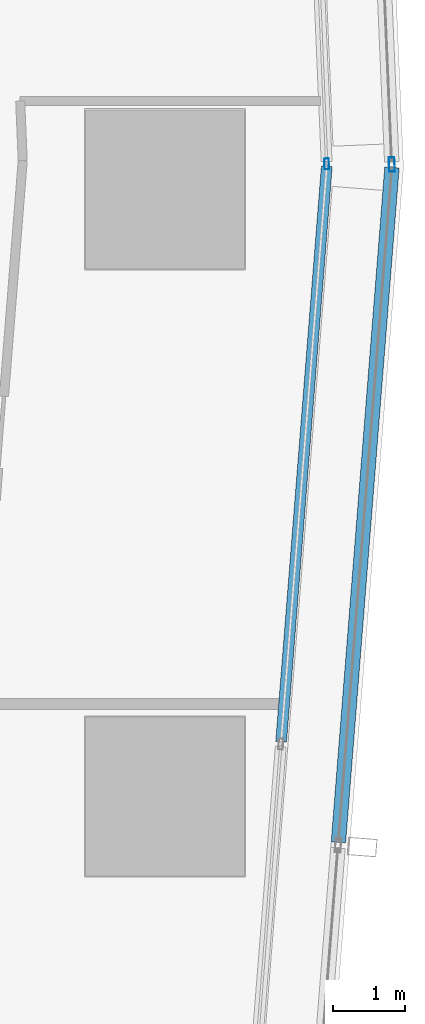
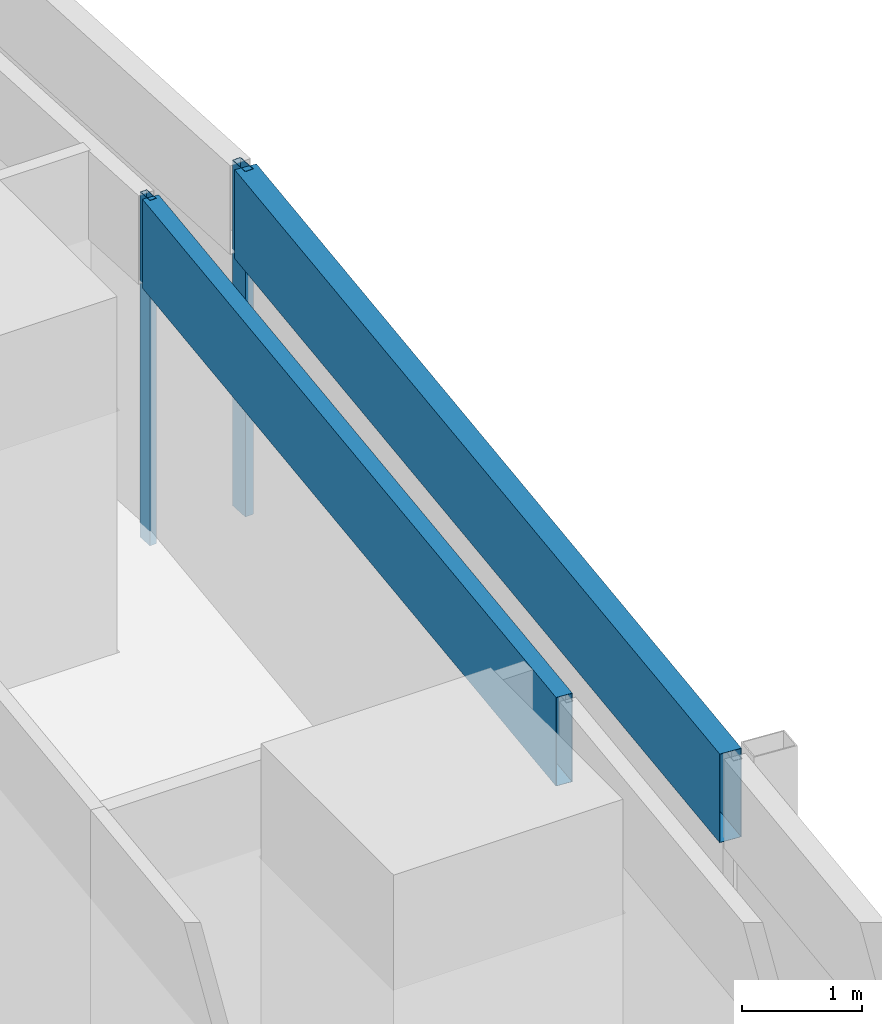
# One storey, part 26 of 45: 4 members, 4 elements without a shape of their own.
"""IFC4 building model written with IfcOpenShell, lengths in metres."""

from ifc_helpers import new_model, si_unit, direction, frame, origin, origin_2d, place, context, subcontext, project, spatial, hollow_rectangle, extrude, material, material_profile, profile_set, type_object, element, aggregate, save


model = new_model("IFC4")

# Units and contexts
model_context = context("Model", 3, precision=1e-05, world=origin(), true_north=direction((0.0, 1.0)))
body_context = subcontext(model_context, "Body", "Model", "MODEL_VIEW")
ifc_project = project(units=[si_unit("LENGTHUNIT", "METRE"), si_unit("AREAUNIT", "SQUARE_METRE"), si_unit("VOLUMEUNIT", "CUBIC_METRE"), si_unit("PLANEANGLEUNIT", "RADIAN"), si_unit("MASSUNIT", "GRAM", prefix="KILO")], contexts=[model_context])

# Site, building, storey
site_placement = place(None, origin())
site = spatial("IfcSite", under=ifc_project, at=site_placement, CompositionType="ELEMENT")
building_placement = place(site_placement, origin())
building = spatial("IfcBuilding", under=site, at=building_placement, Name="Rekha Terrace Tower", CompositionType="ELEMENT")
storey_placement = place(building_placement, frame((0.0, 0.0, 44.14990234375)))
storey = spatial("IfcBuildingStorey", under=building, at=storey_placement, Name="L10", CompositionType="ELEMENT", Elevation=44.14990234375)

# Curtain wall, member
ifc_material_1 = material(Name="Aluminium framing", Category="aluminium")
curtain_wall_type_1 = type_object("IfcCurtainWallType", Name="CW1 double skin inner glazing", PredefinedType="USERDEFINED", material=ifc_material_1)
curtain_wall_1_placement = place(storey_placement, origin())
curtain_wall_1 = element("IfcCurtainWall", 1, at=curtain_wall_1_placement, inside=storey, type_object=curtain_wall_type_1, Name="CW1 double skin inner glazing", ObjectType="DOUBLE SKIN INNER GLAZING", PredefinedType="USERDEFINED")
ifc_material_2 = material(Name="Aluminium mullion section", Category="aluminium")
ifc_material_profile_1 = material_profile(ifc_material_2, hollow_rectangle(XDim=0.06494140625, YDim=0.14990234375, WallThickness=0.00390625, at=origin_2d()), Name="AL RHS 65x150")
ifc_profile_set_1 = profile_set([ifc_material_profile_1], Name="Aluminium mullion section")
member_type_1 = type_object("IfcMemberType", Name="CW1 mullion RHS 65 x 150", PredefinedType="MULLION", material=ifc_profile_set_1)
member_1_placement = place(storey_placement, frame((69.436767578125, 25.5517578125, 0.0), z_axis=(0.0, 0.0, 1.0), x_axis=(-0.999088106904, -0.042696072921, 0.0)))
member_1 = element("IfcMember", 2, at=member_1_placement, type_object=member_type_1, Name="CW1 mullion 1", PredefinedType="MULLION", context=body_context, shape_type="SweptSolid", body=[
    extrude(hollow_rectangle(XDim=0.06494140625, YDim=0.14990234375, WallThickness=0.00390625, at=origin_2d()), origin(), (0.0, 0.0, 1.0), 3.5),
])
aggregate(curtain_wall_1, [member_1])

curtain_wall_2_placement = place(storey_placement, origin())
curtain_wall_2 = element("IfcCurtainWall", 3, at=curtain_wall_2_placement, inside=storey, type_object=curtain_wall_type_1, Name="CW1 double skin inner glazing", ObjectType="DOUBLE SKIN INNER GLAZING", PredefinedType="USERDEFINED")
ifc_material_3 = material(Name="Insulated aluminium spandrel box", Category="aluminium")
ifc_material_profile_2 = material_profile(ifc_material_3, hollow_rectangle(XDim=0.14990234375, YDim=0.89990234375, WallThickness=0.0029296875, at=origin_2d()), Name="AL SPANDREL BOX 150x900")
ifc_profile_set_2 = profile_set([ifc_material_profile_2], Name="Insulated aluminium spandrel box")
member_type_2 = type_object("IfcMemberType", Name="CW1 spandrel transom 150 x 900", PredefinedType="USERDEFINED", material=ifc_profile_set_2)
member_2_placement = place(storey_placement, frame((68.80615234375, 17.555908203125, 3.050048828125), z_axis=(0.07912449621, 0.996864742129, 0.0), x_axis=(-0.996864742129, 0.07912449621, 0.0)))
member_2 = element("IfcMember", 4, at=member_2_placement, type_object=member_type_2, Name="CW1 spandrel transom 2", ObjectType="TRANSOM", PredefinedType="USERDEFINED", context=body_context, shape_type="SweptSolid", body=[
    extrude(hollow_rectangle(XDim=0.14990234375, YDim=0.89990234375, WallThickness=0.0029296875, at=origin_2d()), origin(), (0.0, 0.0, 1.0), 7.988525390625),
])
aggregate(curtain_wall_2, [member_2])

curtain_wall_type_2 = type_object("IfcCurtainWallType", Name="CW2 double skin outer glazing", PredefinedType="USERDEFINED", material=ifc_material_1)
curtain_wall_3_placement = place(storey_placement, origin())
curtain_wall_3 = element("IfcCurtainWall", 5, at=curtain_wall_3_placement, inside=storey, type_object=curtain_wall_type_2, Name="CW2 double skin outer glazing", ObjectType="DOUBLE SKIN OUTER GLAZING", PredefinedType="USERDEFINED")
ifc_material_profile_3 = material_profile(ifc_material_2, hollow_rectangle(XDim=0.080078125, YDim=0.199951171875, WallThickness=0.00390625, at=origin_2d()), Name="AL RHS 80x200")
ifc_profile_set_3 = profile_set([ifc_material_profile_3], Name="Aluminium mullion section")
member_type_3 = type_object("IfcMemberType", Name="CW2 mullion RHS 80 x 200", PredefinedType="MULLION", material=ifc_profile_set_3)
member_3_placement = place(storey_placement, frame((70.338134765625, 25.54296875, 0.0), z_axis=(0.0, 0.0, 1.0), x_axis=(-0.999088106903, -0.042696072956, 0.0)))
member_3 = element("IfcMember", 6, at=member_3_placement, type_object=member_type_3, Name="CW2 mullion 1", PredefinedType="MULLION", context=body_context, shape_type="SweptSolid", body=[
    extrude(hollow_rectangle(XDim=0.080078125, YDim=0.199951171875, WallThickness=0.00390625, at=origin_2d()), origin(), (0.0, 0.0, 1.0), 3.5),
])
aggregate(curtain_wall_3, [member_3])

curtain_wall_4_placement = place(storey_placement, origin())
curtain_wall_4 = element("IfcCurtainWall", 7, at=curtain_wall_4_placement, inside=storey, type_object=curtain_wall_type_2, Name="CW2 double skin outer glazing", ObjectType="DOUBLE SKIN OUTER GLAZING", PredefinedType="USERDEFINED")
ifc_material_profile_4 = material_profile(ifc_material_3, hollow_rectangle(XDim=0.199951171875, YDim=0.89990234375, WallThickness=0.0029296875, at=origin_2d()), Name="AL SPANDREL BOX 200x900")
ifc_profile_set_4 = profile_set([ifc_material_profile_4], Name="Insulated aluminium spandrel box")
member_type_4 = type_object("IfcMemberType", Name="CW2 spandrel transom 200 x 900", PredefinedType="USERDEFINED", material=ifc_profile_set_4)
member_4_placement = place(storey_placement, frame((69.5986328125, 16.16552734375, 3.050048828125), z_axis=(0.079131924046, 0.996864152529, 0.0), x_axis=(-0.996864152529, 0.079131924046, 0.0)))
member_4 = element("IfcMember", 8, at=member_4_placement, type_object=member_type_4, Name="CW2 spandrel transom 2", ObjectType="TRANSOM", PredefinedType="USERDEFINED", context=body_context, shape_type="SweptSolid", body=[
    extrude(hollow_rectangle(XDim=0.199951171875, YDim=0.89990234375, WallThickness=0.0029296875, at=origin_2d()), origin(), (0.0, 0.0, 1.0), 9.36669921875),
])
aggregate(curtain_wall_4, [member_4])

save(model, "model.ifc")
